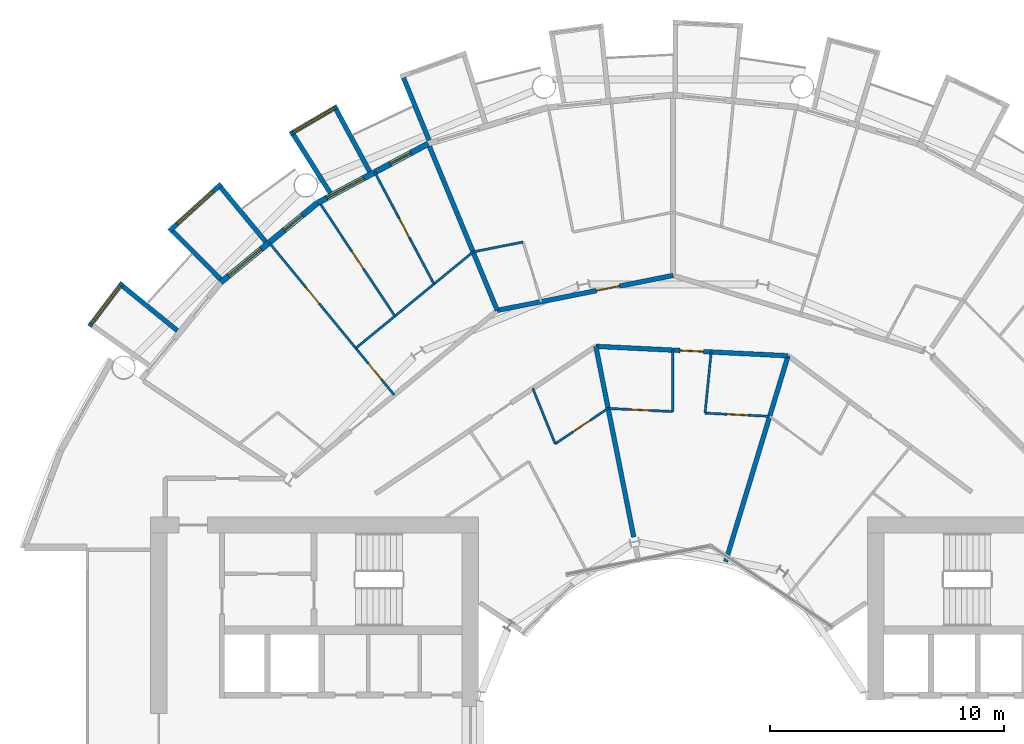
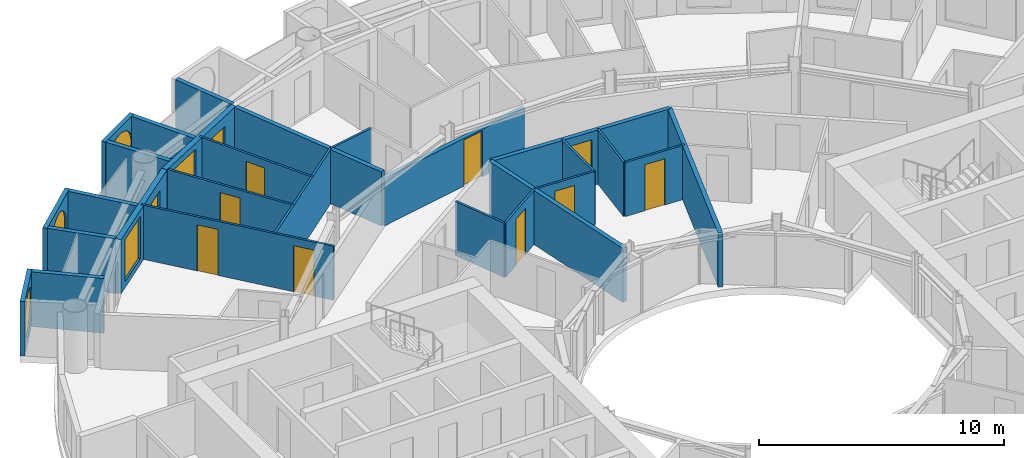
# One storey, part 19 of 26: 27 walls, 11 doors, 5 windows, 16 openings.
"""IFC4 building model written with IfcOpenShell, lengths in metres."""

from ifc_helpers import new_model, si_unit, direction, frame, frame_2d, origin, place, context, subcontext, project, spatial, rectangle, circle, extrude, material, layer, layer_set, type_object, element, fill, save


model = new_model("IFC4")

# Units and contexts
model_context = context("Model", 3, precision=1e-05, world=origin(), true_north=direction((0.0, 1.0)))
body_context = subcontext(model_context, "Body", "Model", "MODEL_VIEW")
ifc_project = project(units=[si_unit("LENGTHUNIT", "METRE"), si_unit("AREAUNIT", "SQUARE_METRE"), si_unit("VOLUMEUNIT", "CUBIC_METRE"), si_unit("PLANEANGLEUNIT", "RADIAN"), si_unit("MASSUNIT", "GRAM", prefix="KILO")], contexts=[model_context])

# Site, building, storey
site_placement = place(None, origin())
site = spatial("IfcSite", under=ifc_project, at=site_placement, CompositionType="ELEMENT")
building_placement = place(site_placement, origin())
building = spatial("IfcBuilding", under=site, at=building_placement, Name="Maasbend Ring Residences", CompositionType="ELEMENT")
storey_placement = place(building_placement, frame((0.0, 0.0, 88.0)))
storey = spatial("IfcBuildingStorey", under=building, at=storey_placement, Name="L25", CompositionType="ELEMENT", Elevation=88.0)

# Wall, opening, door
ifc_material_1 = material(Name="Concrete C30/37", Category="concrete")
ifc_layer_1 = layer(ifc_material_1, 0.199951171875)
ifc_layer_set_1 = layer_set([ifc_layer_1], Name="Concrete C30/37")
wall_type_1 = type_object("IfcWallType", Name="CORRIDOR WALL 200 CONCRETE", PredefinedType="PARTITIONING", material=ifc_layer_set_1)
wall_1_placement = place(storey_placement, frame((-3.298095703125, 16.573974609375, 0.0), z_axis=(0.0, 0.0, 1.0), x_axis=(0.998802523271, -0.048923608895, 0.0)))
wall_1 = element("IfcWall", 1, at=wall_1_placement, inside=storey, type_object=wall_type_1, Name="U-L25-w097", PredefinedType="PARTITIONING", context=body_context, shape_type="SweptSolid", body=[
    extrude(rectangle(XDim=8.2138671875, YDim=0.199951171875, at=frame_2d((4.10693359375, 0.0))), origin(), (0.0, 0.0, 1.0), 2.699951171875),
])
opening_1_placement = place(wall_1_placement, frame((3.60009765625, 0.0, 0.0)))
opening_1 = element("IfcOpeningElement", 2, at=opening_1_placement, cuts=wall_1, Name="Opening D-2525", PredefinedType="OPENING", context=body_context, shape_type="SweptSolid", body=[
    extrude(rectangle(XDim=1.0, YDim=2.300048828125, at=frame_2d((0.5, 1.14990234375))), frame((0.0, 0.10986328125, 0.0), z_axis=(0.0, -1.0, 0.0), x_axis=(1.0, 0.0, 0.0)), (0.0, 0.0, 1.0), 0.219970703125),
])
ifc_material_2 = material(Name="Timber, fire-rated, painted", Category="wood")
door_type_1 = type_object("IfcDoorType", Name="FLAT ENTRANCE DOOR 1000 X 2300 FIRE-RATED", OperationType="NOTDEFINED", PredefinedType="DOOR", material=ifc_material_2)
door_1_placement = place(opening_1_placement, origin())
door_1 = element("IfcDoor", 3, at=door_1_placement, inside=storey, type_object=door_type_1, Name="D-2525", OperationType="SINGLE_SWING_LEFT", OverallHeight=2.300048828125, OverallWidth=1.0, PredefinedType="DOOR", context=body_context, shape_type="SweptSolid", body=[
    extrude(rectangle(XDim=1.0, YDim=2.300048828125, at=frame_2d((0.5, 1.14990234375))), frame((0.0, 0.02490234375, 0.0), z_axis=(0.0, -1.0, 0.0), x_axis=(1.0, 0.0, 0.0)), (0.0, 0.0, 1.0), 0.050048828125),
])
fill(opening_1, door_1)

wall_2_placement = place(storey_placement, frame((-7.5009765625, 18.10791015625, 0.0), z_axis=(0.0, 0.0, 1.0), x_axis=(0.980791233058, 0.195060393611, 0.0)))
wall_2 = element("IfcWall", 4, at=wall_2_placement, inside=storey, type_object=wall_type_1, Name="U-L25-w100", PredefinedType="PARTITIONING", context=body_context, shape_type="SweptSolid", body=[
    extrude(rectangle(XDim=7.64990234375, YDim=0.199951171875, at=frame_2d((3.824951171875, 0.0))), origin(), (0.0, 0.0, 1.0), 2.3798828125),
])
opening_2_placement = place(wall_2_placement, frame((4.31298828125, 0.0, 0.0)))
opening_2 = element("IfcOpeningElement", 5, at=opening_2_placement, cuts=wall_2, Name="Opening D-2511", PredefinedType="OPENING", context=body_context, shape_type="SweptSolid", body=[
    extrude(rectangle(XDim=1.0, YDim=2.300048828125, at=frame_2d((0.5, 1.14990234375))), frame((0.0, 0.10986328125, 0.0), z_axis=(0.0, -1.0, 0.0), x_axis=(1.0, 0.0, 0.0)), (0.0, 0.0, 1.0), 0.219970703125),
])
door_2_placement = place(opening_2_placement, origin())
door_2 = element("IfcDoor", 6, at=door_2_placement, inside=storey, type_object=door_type_1, Name="D-2511", OperationType="SINGLE_SWING_RIGHT", OverallHeight=2.300048828125, OverallWidth=1.0, PredefinedType="DOOR", context=body_context, shape_type="SweptSolid", body=[
    extrude(rectangle(XDim=1.0, YDim=2.300048828125, at=frame_2d((0.5, 1.14990234375))), frame((0.0, 0.02490234375, 0.0), z_axis=(0.0, -1.0, 0.0), x_axis=(1.0, 0.0, 0.0)), (0.0, 0.0, 1.0), 0.050048828125),
])
fill(opening_2, door_2)

# Wall
ifc_material_3 = material(Name="Pale anodised aluminium panel", Category="aluminium")
ifc_layer_2 = layer(ifc_material_3, 0.199951171875)
ifc_layer_set_2 = layer_set([ifc_layer_2], Name="EW-BOX")
wall_type_2 = type_object("IfcWallType", Name="EW-BOX", PredefinedType="SOLIDWALL", material=ifc_layer_set_2)
wall_3_placement = place(storey_placement, frame((-10.408935546875, 25.364013671875, -0.030029296875), z_axis=(0.0, 0.0, 1.0), x_axis=(-0.379509886562, 0.925187681501, 0.0)))
element("IfcWall", 7, at=wall_3_placement, inside=storey, type_object=wall_type_2, Name="Box side wall N14 right", PredefinedType="SOLIDWALL", context=body_context, shape_type="SweptSolid", body=[
    extrude(rectangle(XDim=2.882568359375, YDim=0.199951171875, at=frame_2d((1.44140625, 0.0))), origin(), (0.0, 0.0, 1.0), 2.72998046875),
])

# Wall, opening, window
wall_4_placement = place(storey_placement, frame((-14.326904296875, 26.81201171875, -0.030029296875), z_axis=(0.0, 0.0, 1.0), x_axis=(-0.863346521872, -0.504611517081, 0.0)))
wall_4 = element("IfcWall", 8, at=wall_4_placement, inside=storey, type_object=wall_type_2, Name="Box front N16", PredefinedType="SOLIDWALL", context=body_context, shape_type="SweptSolid", body=[
    extrude(rectangle(XDim=2.33642578125, YDim=0.199951171875, at=frame_2d((1.168212890625, 0.0))), origin(), (0.0, 0.0, 1.0), 2.72998046875),
])
opening_3_placement = place(wall_4_placement, frame((0.128173828125, 0.0, 0.330078125)))
opening_3 = element("IfcOpeningElement", 9, at=opening_3_placement, cuts=wall_4, Name="Opening W-RD", PredefinedType="OPENING", context=body_context, shape_type="SweptSolid", body=[
    extrude(circle(Radius=1.0400390625, at=frame_2d((1.0400390625, 1.0400390625))), frame((0.0, 0.10986328125, 0.0), z_axis=(0.0, -1.0, 0.0), x_axis=(1.0, 0.0, 0.0)), (0.0, 0.0, 1.0), 0.219970703125),
])
ifc_material_4 = material(Name="Aluminium and clear glass", Category="aluminium")
window_type_1 = type_object("IfcWindowType", Name="W-RD", PartitioningType="SINGLE_PANEL", PredefinedType="WINDOW", material=ifc_material_4)
window_1_placement = place(opening_3_placement, origin())
window_1 = element("IfcWindow", 10, at=window_1_placement, inside=storey, type_object=window_type_1, Name="Round window N16", OverallHeight=2.080078125, OverallWidth=2.080078125, PartitioningType="SINGLE_PANEL", PredefinedType="WINDOW", context=body_context, shape_type="SweptSolid", body=[
    extrude(circle(Radius=1.0400390625, at=frame_2d((1.0400390625, 1.0400390625))), frame((0.0, 0.030029296875, 0.0), z_axis=(0.0, -1.0, 0.0), x_axis=(1.0, 0.0, 0.0)), (0.0, 0.0, 1.0), 0.06005859375),
])
fill(opening_3, window_1)

# Walls
wall_5_placement = place(storey_placement, frame((-12.945068359375, 24.029052734375, -0.030029296875), z_axis=(0.0, 0.0, 1.0), x_axis=(-0.474424310775, 0.88029629861, 0.0)))
element("IfcWall", 11, at=wall_5_placement, inside=storey, type_object=wall_type_2, Name="Box side wall N16 left", PredefinedType="SOLIDWALL", context=body_context, shape_type="SweptSolid", body=[
    extrude(rectangle(XDim=3.005859375, YDim=0.199951171875, at=frame_2d((1.5029296875, 0.0))), origin(), (0.0, 0.0, 1.0), 2.72998046875),
])
wall_6_placement = place(storey_placement, frame((-14.635009765625, 23.1259765625, -0.030029296875), z_axis=(0.0, 0.0, 1.0), x_axis=(-0.534437802731, 0.845207805816, 0.0)))
element("IfcWall", 12, at=wall_6_placement, inside=storey, type_object=wall_type_2, Name="Box side wall N16 right", PredefinedType="SOLIDWALL", context=body_context, shape_type="SweptSolid", body=[
    extrude(rectangle(XDim=2.931884765625, YDim=0.199951171875, at=frame_2d((1.4658203125, 0.0))), origin(), (0.0, 0.0, 1.0), 2.72998046875),
])

# Wall, opening, window
wall_7_placement = place(storey_placement, frame((-19.281982421875, 23.5029296875, -0.030029296875), z_axis=(0.0, 0.0, 1.0), x_axis=(-0.740998365753, -0.671506829416, 0.0)))
wall_7 = element("IfcWall", 13, at=wall_7_placement, inside=storey, type_object=wall_type_2, Name="Box front N18", PredefinedType="SOLIDWALL", context=body_context, shape_type="SweptSolid", body=[
    extrude(rectangle(XDim=2.9931640625, YDim=0.199951171875, at=frame_2d((1.49658203125, 0.0))), origin(), (0.0, 0.0, 1.0), 2.72998046875),
])
opening_4_placement = place(wall_7_placement, frame((0.45654296875, 0.0, 0.330078125)))
opening_4 = element("IfcOpeningElement", 14, at=opening_4_placement, cuts=wall_7, Name="Opening W-RD", PredefinedType="OPENING", context=body_context, shape_type="SweptSolid", body=[
    extrude(circle(Radius=1.0400390625, at=frame_2d((1.0400390625, 1.0400390625))), frame((0.0, 0.10986328125, 0.0), z_axis=(0.0, -1.0, 0.0), x_axis=(1.0, 0.0, 0.0)), (0.0, 0.0, 1.0), 0.219970703125),
])
window_2_placement = place(opening_4_placement, origin())
window_2 = element("IfcWindow", 15, at=window_2_placement, inside=storey, type_object=window_type_1, Name="Round window N18", OverallHeight=2.080078125, OverallWidth=2.080078125, PartitioningType="SINGLE_PANEL", PredefinedType="WINDOW", context=body_context, shape_type="SweptSolid", body=[
    extrude(circle(Radius=1.0400390625, at=frame_2d((1.0400390625, 1.0400390625))), frame((0.0, 0.030029296875, 0.0), z_axis=(0.0, -1.0, 0.0), x_axis=(1.0, 0.0, 0.0)), (0.0, 0.0, 1.0), 0.06005859375),
])
fill(opening_4, window_2)

# Walls
wall_8_placement = place(storey_placement, frame((-17.384033203125, 21.041015625, -0.030029296875), z_axis=(0.0, 0.0, 1.0), x_axis=(-0.63709551667, 0.770784861449, 0.0)))
element("IfcWall", 16, at=wall_8_placement, inside=storey, type_object=wall_type_2, Name="Box side wall N18 left", PredefinedType="SOLIDWALL", context=body_context, shape_type="SweptSolid", body=[
    extrude(rectangle(XDim=3.005859375, YDim=0.199951171875, at=frame_2d((1.5029296875, 0.0))), origin(), (0.0, 0.0, 1.0), 2.72998046875),
])
wall_9_placement = place(storey_placement, frame((-19.322998046875, 19.449951171875, -0.030029296875), z_axis=(0.0, 0.0, 1.0), x_axis=(-0.704476739375, 0.709727076896, 0.0)))
element("IfcWall", 17, at=wall_9_placement, inside=storey, type_object=wall_type_2, Name="Box side wall N18 right", PredefinedType="SOLIDWALL", context=body_context, shape_type="SweptSolid", body=[
    extrude(rectangle(XDim=2.883056640625, YDim=0.199951171875, at=frame_2d((1.44140625, 0.0))), origin(), (0.0, 0.0, 1.0), 2.72998046875),
])

# Wall, opening, window
wall_10_placement = place(storey_placement, frame((-23.4970703125, 19.2890625, -0.030029296875), z_axis=(0.0, 0.0, 1.0), x_axis=(-0.60418752353, -0.796842165306, 0.0)))
wall_10 = element("IfcWall", 18, at=wall_10_placement, inside=storey, type_object=wall_type_2, Name="Box front N20", PredefinedType="SOLIDWALL", context=body_context, shape_type="SweptSolid", body=[
    extrude(rectangle(XDim=2.3369140625, YDim=0.199951171875, at=frame_2d((1.16845703125, 0.0))), origin(), (0.0, 0.0, 1.0), 2.72998046875),
])
opening_5_placement = place(wall_10_placement, frame((0.128173828125, 0.0, 0.330078125)))
opening_5 = element("IfcOpeningElement", 19, at=opening_5_placement, cuts=wall_10, Name="Opening W-RD", PredefinedType="OPENING", context=body_context, shape_type="SweptSolid", body=[
    extrude(circle(Radius=1.0400390625, at=frame_2d((1.0400390625, 1.0400390625))), frame((0.0, 0.10986328125, 0.0), z_axis=(0.0, -1.0, 0.0), x_axis=(1.0, 0.0, 0.0)), (0.0, 0.0, 1.0), 0.219970703125),
])
window_3_placement = place(opening_5_placement, origin())
window_3 = element("IfcWindow", 20, at=window_3_placement, inside=storey, type_object=window_type_1, Name="Round window N20", OverallHeight=2.080078125, OverallWidth=2.080078125, PartitioningType="SINGLE_PANEL", PredefinedType="WINDOW", context=body_context, shape_type="SweptSolid", body=[
    extrude(circle(Radius=1.0400390625, at=frame_2d((1.0400390625, 1.0400390625))), frame((0.0, 0.030029296875, 0.0), z_axis=(0.0, -1.0, 0.0), x_axis=(1.0, 0.0, 0.0)), (0.0, 0.0, 1.0), 0.06005859375),
])
fill(opening_5, window_3)

# Wall
wall_11_placement = place(storey_placement, frame((-21.155029296875, 17.24609375, -0.030029296875), z_axis=(0.0, 0.0, 1.0), x_axis=(-0.775179004516, 0.631741648902, 0.0)))
element("IfcWall", 21, at=wall_11_placement, inside=storey, type_object=wall_type_2, Name="Box side wall N20 left", PredefinedType="SOLIDWALL", context=body_context, shape_type="SweptSolid", body=[
    extrude(rectangle(XDim=3.005859375, YDim=0.199951171875, at=frame_2d((1.5029296875, 0.0))), origin(), (0.0, 0.0, 1.0), 2.72998046875),
])

# Wall, openings, door, window
ifc_material_5 = material(Name="Aluminium clad insulated panel", Category="aluminium")
ifc_layer_3 = layer(ifc_material_5, 0.25)
ifc_layer_set_3 = layer_set([ifc_layer_3], Name="EW-GL")
wall_type_3 = type_object("IfcWallType", Name="EW-GL", PredefinedType="SOLIDWALL", material=ifc_layer_set_3)
wall_12_placement = place(storey_placement, frame((-10.447021484375, 25.221923828125, 0.0), z_axis=(0.0, 0.0, 1.0), x_axis=(-0.881915646801, -0.471407246368, 0.0)))
wall_12 = element("IfcWall", 22, at=wall_12_placement, inside=storey, type_object=wall_type_3, Name="External wall N08", PredefinedType="SOLIDWALL", context=body_context, shape_type="SweptSolid", body=[
    extrude(rectangle(XDim=5.35205078125, YDim=0.25, at=frame_2d((2.676025390625, 0.0))), origin(), (0.0, 0.0, 1.0), 2.699951171875),
])
opening_6_placement = place(wall_12_placement, frame((0.841064453125, 0.0, 0.0)))
opening_6 = element("IfcOpeningElement", 23, at=opening_6_placement, cuts=wall_12, Name="Opening D-LG", PredefinedType="OPENING", context=body_context, shape_type="SweptSolid", body=[
    extrude(rectangle(XDim=1.0, YDim=2.199951171875, at=frame_2d((0.5, 1.10009765625))), frame((0.0, 0.135009765625, 0.0), z_axis=(0.0, -1.0, 0.0), x_axis=(1.0, 0.0, 0.0)), (0.0, 0.0, 1.0), 0.27001953125),
])
opening_7_placement = place(wall_12_placement, frame((3.110595703125, 0.0, 0.300048828125)))
opening_7 = element("IfcOpeningElement", 24, at=opening_7_placement, cuts=wall_12, Name="Opening W-BX", PredefinedType="OPENING", context=body_context, shape_type="SweptSolid", body=[
    extrude(rectangle(XDim=1.800048828125, YDim=2.10009765625, at=frame_2d((0.89990234375, 1.050048828125))), frame((0.0, 0.135009765625, 0.0), z_axis=(0.0, -1.0, 0.0), x_axis=(1.0, 0.0, 0.0)), (0.0, 0.0, 1.0), 0.27001953125),
])
ifc_material_6 = material(Name="Aluminium and clear glass", Category="aluminium")
door_type_2 = type_object("IfcDoorType", Name="D-LG", OperationType="SINGLE_SWING_LEFT", PredefinedType="DOOR", material=ifc_material_6)
door_3_placement = place(opening_6_placement, origin())
door_3 = element("IfcDoor", 25, at=door_3_placement, inside=storey, type_object=door_type_2, Name="Loggia door N15", OperationType="SINGLE_SWING_LEFT", OverallHeight=2.199951171875, OverallWidth=1.0, PredefinedType="DOOR", context=body_context, shape_type="SweptSolid", body=[
    extrude(rectangle(XDim=1.0, YDim=2.199951171875, at=frame_2d((0.5, 1.10009765625))), frame((0.0, 0.02490234375, 0.0), z_axis=(0.0, -1.0, 0.0), x_axis=(1.0, 0.0, 0.0)), (0.0, 0.0, 1.0), 0.050048828125),
])
fill(opening_6, door_3)
ifc_material_7 = material(Name="Aluminium and clear glass", Category="aluminium")
window_type_2 = type_object("IfcWindowType", Name="W-BX", PartitioningType="DOUBLE_PANEL_VERTICAL", PredefinedType="WINDOW", material=ifc_material_7)
window_4_placement = place(opening_7_placement, origin())
window_4 = element("IfcWindow", 26, at=window_4_placement, inside=storey, type_object=window_type_2, Name="Window N16 room to box", OverallHeight=2.10009765625, OverallWidth=1.800048828125, PartitioningType="SINGLE_PANEL", PredefinedType="WINDOW", context=body_context, shape_type="SweptSolid", body=[
    extrude(rectangle(XDim=1.800048828125, YDim=2.10009765625, at=frame_2d((0.89990234375, 1.050048828125))), frame((0.0, 0.030029296875, 0.0), z_axis=(0.0, -1.0, 0.0), x_axis=(1.0, 0.0, 0.0)), (0.0, 0.0, 1.0), 0.06005859375),
])
fill(opening_7, window_4)

wall_13_placement = place(storey_placement, frame((-15.1669921875, 22.698974609375, 0.0), z_axis=(0.0, 0.0, 1.0), x_axis=(-0.773019449054, -0.634382322723, 0.0)))
wall_13 = element("IfcWall", 27, at=wall_13_placement, inside=storey, type_object=wall_type_3, Name="External wall N09", PredefinedType="SOLIDWALL", context=body_context, shape_type="SweptSolid", body=[
    extrude(rectangle(XDim=5.351806640625, YDim=0.25, at=frame_2d((2.67578125, 0.0))), origin(), (0.0, 0.0, 1.0), 2.699951171875),
])
opening_8_placement = place(wall_13_placement, frame((0.841064453125, 0.0, 0.0)))
opening_8 = element("IfcOpeningElement", 28, at=opening_8_placement, cuts=wall_13, Name="Opening D-LG", PredefinedType="OPENING", context=body_context, shape_type="SweptSolid", body=[
    extrude(rectangle(XDim=1.0, YDim=2.199951171875, at=frame_2d((0.5, 1.10009765625))), frame((0.0, 0.135009765625, 0.0), z_axis=(0.0, -1.0, 0.0), x_axis=(1.0, 0.0, 0.0)), (0.0, 0.0, 1.0), 0.27001953125),
])
opening_9_placement = place(wall_13_placement, frame((3.110595703125, 0.0, 0.300048828125)))
opening_9 = element("IfcOpeningElement", 29, at=opening_9_placement, cuts=wall_13, Name="Opening W-BX", PredefinedType="OPENING", context=body_context, shape_type="SweptSolid", body=[
    extrude(rectangle(XDim=1.800048828125, YDim=2.10009765625, at=frame_2d((0.89990234375, 1.050048828125))), frame((0.0, 0.135009765625, 0.0), z_axis=(0.0, -1.0, 0.0), x_axis=(1.0, 0.0, 0.0)), (0.0, 0.0, 1.0), 0.27001953125),
])
door_4_placement = place(opening_8_placement, origin())
door_4 = element("IfcDoor", 30, at=door_4_placement, inside=storey, type_object=door_type_2, Name="Loggia door N17", OperationType="SINGLE_SWING_LEFT", OverallHeight=2.199951171875, OverallWidth=1.0, PredefinedType="DOOR", context=body_context, shape_type="SweptSolid", body=[
    extrude(rectangle(XDim=1.0, YDim=2.199951171875, at=frame_2d((0.5, 1.10009765625))), frame((0.0, 0.02490234375, 0.0), z_axis=(0.0, -1.0, 0.0), x_axis=(1.0, 0.0, 0.0)), (0.0, 0.0, 1.0), 0.050048828125),
])
fill(opening_8, door_4)
window_5_placement = place(opening_9_placement, origin())
window_5 = element("IfcWindow", 31, at=window_5_placement, inside=storey, type_object=window_type_2, Name="Window N18 room to box", OverallHeight=2.10009765625, OverallWidth=1.800048828125, PartitioningType="SINGLE_PANEL", PredefinedType="WINDOW", context=body_context, shape_type="SweptSolid", body=[
    extrude(rectangle(XDim=1.800048828125, YDim=2.10009765625, at=frame_2d((0.89990234375, 1.050048828125))), frame((0.0, 0.030029296875, 0.0), z_axis=(0.0, -1.0, 0.0), x_axis=(1.0, 0.0, 0.0)), (0.0, 0.0, 1.0), 0.06005859375),
])
fill(opening_9, window_5)

# Wall, openings, doors
ifc_material_8 = material(Name="Gypsum board on steel studs", Category="steel")
ifc_layer_4 = layer(ifc_material_8, 0.10009765625)
ifc_layer_set_4 = layer_set([ifc_layer_4], Name="PARTITION 100 GYPSUM")
wall_type_4 = type_object("IfcWallType", Name="PARTITION 100 GYPSUM", PredefinedType="PARTITIONING", material=ifc_layer_set_4)
wall_14_placement = place(storey_placement, frame((-17.239990234375, 21.007080078125, 0.0), z_axis=(0.0, 0.0, 1.0), x_axis=(0.634396151441, -0.77300810024, 0.0)))
wall_14 = element("IfcWall", 32, at=wall_14_placement, inside=storey, type_object=wall_type_4, Name="U-L25-w033", PredefinedType="PARTITIONING", context=body_context, shape_type="SweptSolid", body=[
    extrude(rectangle(XDim=8.419189453125, YDim=0.10009765625, at=frame_2d((4.20947265625, 0.0))), origin(), (0.0, 0.0, 1.0), 2.699951171875),
])
opening_10_placement = place(wall_14_placement, frame((6.678955078125, 0.0, 0.0)))
opening_10 = element("IfcOpeningElement", 33, at=opening_10_placement, cuts=wall_14, Name="Opening D-2517", PredefinedType="OPENING", context=body_context, shape_type="SweptSolid", body=[
    extrude(rectangle(XDim=0.89990234375, YDim=2.300048828125, at=frame_2d((0.449951171875, 1.14990234375))), frame((0.0, 0.06005859375, 0.0), z_axis=(0.0, -1.0, 0.0), x_axis=(1.0, 0.0, 0.0)), (0.0, 0.0, 1.0), 0.1201171875),
])
opening_11_placement = place(wall_14_placement, frame((2.468017578125, 0.0, 0.0)))
opening_11 = element("IfcOpeningElement", 34, at=opening_11_placement, cuts=wall_14, Name="Opening D-2518", PredefinedType="OPENING", context=body_context, shape_type="SweptSolid", body=[
    extrude(rectangle(XDim=0.89990234375, YDim=2.300048828125, at=frame_2d((0.449951171875, 1.14990234375))), frame((0.0, 0.06005859375, 0.0), z_axis=(0.0, -1.0, 0.0), x_axis=(1.0, 0.0, 0.0)), (0.0, 0.0, 1.0), 0.1201171875),
])
ifc_material_9 = material(Name="Timber, painted", Category="wood")
door_type_3 = type_object("IfcDoorType", Name="INTERNAL DOOR 900 X 2300", OperationType="NOTDEFINED", PredefinedType="DOOR", material=ifc_material_9)
door_5_placement = place(opening_10_placement, origin())
door_5 = element("IfcDoor", 35, at=door_5_placement, inside=storey, type_object=door_type_3, Name="D-2517", OperationType="SINGLE_SWING_RIGHT", OverallHeight=2.300048828125, OverallWidth=0.89990234375, PredefinedType="DOOR", context=body_context, shape_type="SweptSolid", body=[
    extrude(rectangle(XDim=0.89990234375, YDim=2.300048828125, at=frame_2d((0.449951171875, 1.14990234375))), frame((0.0, 0.02490234375, 0.0), z_axis=(0.0, -1.0, 0.0), x_axis=(1.0, 0.0, 0.0)), (0.0, 0.0, 1.0), 0.050048828125),
])
fill(opening_10, door_5)
door_6_placement = place(opening_11_placement, origin())
door_6 = element("IfcDoor", 36, at=door_6_placement, inside=storey, type_object=door_type_3, Name="D-2518", OperationType="SINGLE_SWING_LEFT", OverallHeight=2.300048828125, OverallWidth=0.89990234375, PredefinedType="DOOR", context=body_context, shape_type="SweptSolid", body=[
    extrude(rectangle(XDim=0.89990234375, YDim=2.300048828125, at=frame_2d((0.449951171875, 1.14990234375))), frame((0.0, 0.02490234375, 0.0), z_axis=(0.0, -1.0, 0.0), x_axis=(1.0, 0.0, 0.0)), (0.0, 0.0, 1.0), 0.050048828125),
])
fill(opening_11, door_6)

# Wall, opening, door
wall_15_placement = place(storey_placement, frame((-15.0390625, 22.634033203125, 0.0), z_axis=(0.0, 0.0, 1.0), x_axis=(0.553440102418, -0.832888980018, 0.0)))
wall_15 = element("IfcWall", 37, at=wall_15_placement, inside=storey, type_object=wall_type_4, Name="U-L25-w035", PredefinedType="PARTITIONING", context=body_context, shape_type="SweptSolid", body=[
    extrude(rectangle(XDim=5.725830078125, YDim=0.10009765625, at=frame_2d((2.86279296875, 0.0))), origin(), (0.0, 0.0, 1.0), 2.699951171875),
])
opening_12_placement = place(wall_15_placement, frame((2.4130859375, 0.0, 0.0)))
opening_12 = element("IfcOpeningElement", 38, at=opening_12_placement, cuts=wall_15, Name="Opening D-2519", PredefinedType="OPENING", context=body_context, shape_type="SweptSolid", body=[
    extrude(rectangle(XDim=0.89990234375, YDim=2.300048828125, at=frame_2d((0.449951171875, 1.14990234375))), frame((0.0, 0.06005859375, 0.0), z_axis=(0.0, -1.0, 0.0), x_axis=(1.0, 0.0, 0.0)), (0.0, 0.0, 1.0), 0.1201171875),
])
door_7_placement = place(opening_12_placement, origin())
door_7 = element("IfcDoor", 39, at=door_7_placement, inside=storey, type_object=door_type_3, Name="D-2519", OperationType="SINGLE_SWING_RIGHT", OverallHeight=2.300048828125, OverallWidth=0.89990234375, PredefinedType="DOOR", context=body_context, shape_type="SweptSolid", body=[
    extrude(rectangle(XDim=0.89990234375, YDim=2.300048828125, at=frame_2d((0.449951171875, 1.14990234375))), frame((0.0, 0.02490234375, 0.0), z_axis=(0.0, -1.0, 0.0), x_axis=(1.0, 0.0, 0.0)), (0.0, 0.0, 1.0), 0.050048828125),
])
fill(opening_12, door_7)

wall_16_placement = place(storey_placement, frame((-12.73388671875, 24.007080078125, 0.0), z_axis=(0.0, 0.0, 1.0), x_axis=(0.468610030042, -0.883405139075, 0.0)))
wall_16 = element("IfcWall", 40, at=wall_16_placement, inside=storey, type_object=wall_type_4, Name="U-L25-w036", PredefinedType="PARTITIONING", context=body_context, shape_type="SweptSolid", body=[
    extrude(rectangle(XDim=5.403076171875, YDim=0.10009765625, at=frame_2d((2.70166015625, 0.0))), origin(), (0.0, 0.0, 1.0), 2.699951171875),
])
opening_13_placement = place(wall_16_placement, frame((2.251953125, 0.0, 0.0)))
opening_13 = element("IfcOpeningElement", 41, at=opening_13_placement, cuts=wall_16, Name="Opening D-2520", PredefinedType="OPENING", context=body_context, shape_type="SweptSolid", body=[
    extrude(rectangle(XDim=0.89990234375, YDim=2.300048828125, at=frame_2d((0.449951171875, 1.14990234375))), frame((0.0, 0.06005859375, 0.0), z_axis=(0.0, -1.0, 0.0), x_axis=(1.0, 0.0, 0.0)), (0.0, 0.0, 1.0), 0.1201171875),
])
door_8_placement = place(opening_13_placement, origin())
door_8 = element("IfcDoor", 42, at=door_8_placement, inside=storey, type_object=door_type_3, Name="D-2520", OperationType="SINGLE_SWING_LEFT", OverallHeight=2.300048828125, OverallWidth=0.89990234375, PredefinedType="DOOR", context=body_context, shape_type="SweptSolid", body=[
    extrude(rectangle(XDim=0.89990234375, YDim=2.300048828125, at=frame_2d((0.449951171875, 1.14990234375))), frame((0.0, 0.02490234375, 0.0), z_axis=(0.0, -1.0, 0.0), x_axis=(1.0, 0.0, 0.0)), (0.0, 0.0, 1.0), 0.050048828125),
])
fill(opening_13, door_8)

# Walls
wall_17_placement = place(storey_placement, frame((-5.986083984375, 14.779052734375, 0.0), z_axis=(0.0, 0.0, 1.0), x_axis=(0.375649498413, -0.926761811008, 0.0)))
element("IfcWall", 43, at=wall_17_placement, inside=storey, type_object=wall_type_4, Name="U-L25-w047", PredefinedType="PARTITIONING", context=body_context, shape_type="SweptSolid", body=[
    extrude(rectangle(XDim=2.547607421875, YDim=0.10009765625, at=frame_2d((1.27392578125, 0.0))), origin(), (0.0, 0.0, 1.0), 2.699951171875),
])
wall_18_placement = place(storey_placement, frame((-0.012939453125, 13.7919921875, 0.0), z_axis=(0.0, 0.0, 1.0), x_axis=(-0.001210427419, 0.999999267432, 0.0)))
element("IfcWall", 44, at=wall_18_placement, inside=storey, type_object=wall_type_4, Name="U-L25-w056", PredefinedType="PARTITIONING", context=body_context, shape_type="SweptSolid", body=[
    extrude(rectangle(XDim=2.6220703125, YDim=0.10009765625, at=frame_2d((1.31103515625, 0.0))), origin(), (0.0, 0.0, 1.0), 2.699951171875),
])
wall_19_placement = place(storey_placement, frame((1.364990234375, 13.72412109375, 0.0), z_axis=(0.0, 0.0, 1.0), x_axis=(0.099171803948, 0.995070325807, 0.0)))
element("IfcWall", 45, at=wall_19_placement, inside=storey, type_object=wall_type_4, Name="U-L25-w060", PredefinedType="PARTITIONING", context=body_context, shape_type="SweptSolid", body=[
    extrude(rectangle(XDim=2.621826171875, YDim=0.10009765625, at=frame_2d((1.31103515625, 0.0))), origin(), (0.0, 0.0, 1.0), 2.699951171875),
])

# Wall, opening, door
wall_20_placement = place(storey_placement, frame((-5.031982421875, 12.4169921875, 0.0), z_axis=(0.0, 0.0, 1.0), x_axis=(0.831538390496, 0.555467285384, 0.0)))
wall_20 = element("IfcWall", 46, at=wall_20_placement, inside=storey, type_object=wall_type_4, Name="U-L25-w090", PredefinedType="PARTITIONING", context=body_context, shape_type="SweptSolid", body=[
    extrude(rectangle(XDim=2.716796875, YDim=0.10009765625, at=frame_2d((1.3583984375, 0.0))), origin(), (0.0, 0.0, 1.0), 2.699951171875),
])
opening_14_placement = place(wall_20_placement, frame((0.910888671875, 0.0, 0.0)))
opening_14 = element("IfcOpeningElement", 47, at=opening_14_placement, cuts=wall_20, Name="Opening D-2529", PredefinedType="OPENING", context=body_context, shape_type="SweptSolid", body=[
    extrude(rectangle(XDim=0.89990234375, YDim=2.300048828125, at=frame_2d((0.449951171875, 1.14990234375))), frame((0.0, 0.06005859375, 0.0), z_axis=(0.0, -1.0, 0.0), x_axis=(1.0, 0.0, 0.0)), (0.0, 0.0, 1.0), 0.1201171875),
])
door_9_placement = place(opening_14_placement, origin())
door_9 = element("IfcDoor", 48, at=door_9_placement, inside=storey, type_object=door_type_3, Name="D-2529", OperationType="SINGLE_SWING_RIGHT", OverallHeight=2.300048828125, OverallWidth=0.89990234375, PredefinedType="DOOR", context=body_context, shape_type="SweptSolid", body=[
    extrude(rectangle(XDim=0.89990234375, YDim=2.300048828125, at=frame_2d((0.449951171875, 1.14990234375))), frame((0.0, 0.02490234375, 0.0), z_axis=(0.0, -1.0, 0.0), x_axis=(1.0, 0.0, 0.0)), (0.0, 0.0, 1.0), 0.050048828125),
])
fill(opening_14, door_9)

wall_21_placement = place(storey_placement, frame((-2.77001953125, 13.926025390625, 0.0), z_axis=(0.0, 0.0, 1.0), x_axis=(0.99880320044, -0.048909782152, 0.0)))
wall_21 = element("IfcWall", 49, at=wall_21_placement, inside=storey, type_object=wall_type_4, Name="U-L25-w093", PredefinedType="PARTITIONING", context=body_context, shape_type="SweptSolid", body=[
    extrude(rectangle(XDim=2.760498046875, YDim=0.10009765625, at=frame_2d((1.38037109375, 0.0))), origin(), (0.0, 0.0, 1.0), 2.699951171875),
])
opening_15_placement = place(wall_21_placement, frame((0.929931640625, 0.0, 0.0)))
opening_15 = element("IfcOpeningElement", 50, at=opening_15_placement, cuts=wall_21, Name="Opening D-2526", PredefinedType="OPENING", context=body_context, shape_type="SweptSolid", body=[
    extrude(rectangle(XDim=0.89990234375, YDim=2.300048828125, at=frame_2d((0.449951171875, 1.14990234375))), frame((0.0, 0.06005859375, 0.0), z_axis=(0.0, -1.0, 0.0), x_axis=(1.0, 0.0, 0.0)), (0.0, 0.0, 1.0), 0.1201171875),
])
door_10_placement = place(opening_15_placement, origin())
door_10 = element("IfcDoor", 51, at=door_10_placement, inside=storey, type_object=door_type_3, Name="D-2526", OperationType="SINGLE_SWING_LEFT", OverallHeight=2.300048828125, OverallWidth=0.89990234375, PredefinedType="DOOR", context=body_context, shape_type="SweptSolid", body=[
    extrude(rectangle(XDim=0.89990234375, YDim=2.300048828125, at=frame_2d((0.449951171875, 1.14990234375))), frame((0.0, 0.02490234375, 0.0), z_axis=(0.0, -1.0, 0.0), x_axis=(1.0, 0.0, 0.0)), (0.0, 0.0, 1.0), 0.050048828125),
])
fill(opening_15, door_10)

wall_22_placement = place(storey_placement, frame((1.364990234375, 13.72412109375, 0.0), z_axis=(0.0, 0.0, 1.0), x_axis=(0.99880320044, -0.048909782152, 0.0)))
wall_22 = element("IfcWall", 52, at=wall_22_placement, inside=storey, type_object=wall_type_4, Name="U-L25-w094", PredefinedType="PARTITIONING", context=body_context, shape_type="SweptSolid", body=[
    extrude(rectangle(XDim=2.760498046875, YDim=0.10009765625, at=frame_2d((1.38037109375, 0.0))), origin(), (0.0, 0.0, 1.0), 2.699951171875),
])
opening_16_placement = place(wall_22_placement, frame((0.929931640625, 0.0, 0.0)))
opening_16 = element("IfcOpeningElement", 53, at=opening_16_placement, cuts=wall_22, Name="Opening D-2527", PredefinedType="OPENING", context=body_context, shape_type="SweptSolid", body=[
    extrude(rectangle(XDim=0.89990234375, YDim=2.300048828125, at=frame_2d((0.449951171875, 1.14990234375))), frame((0.0, 0.06005859375, 0.0), z_axis=(0.0, -1.0, 0.0), x_axis=(1.0, 0.0, 0.0)), (0.0, 0.0, 1.0), 0.1201171875),
])
door_11_placement = place(opening_16_placement, origin())
door_11 = element("IfcDoor", 54, at=door_11_placement, inside=storey, type_object=door_type_3, Name="D-2527", OperationType="SINGLE_SWING_RIGHT", OverallHeight=2.300048828125, OverallWidth=0.89990234375, PredefinedType="DOOR", context=body_context, shape_type="SweptSolid", body=[
    extrude(rectangle(XDim=0.89990234375, YDim=2.300048828125, at=frame_2d((0.449951171875, 1.14990234375))), frame((0.0, 0.02490234375, 0.0), z_axis=(0.0, -1.0, 0.0), x_axis=(1.0, 0.0, 0.0)), (0.0, 0.0, 1.0), 0.050048828125),
])
fill(opening_16, door_11)

# Walls
wall_23_placement = place(storey_placement, frame((-13.5380859375, 16.49609375, 0.0), z_axis=(0.0, 0.0, 1.0), x_axis=(0.773000340237, 0.634405606843, 0.0)))
element("IfcWall", 55, at=wall_23_placement, inside=storey, type_object=wall_type_4, Name="U-L25-w103", PredefinedType="PARTITIONING", context=body_context, shape_type="SweptSolid", body=[
    extrude(rectangle(XDim=6.4736328125, YDim=0.10009765625, at=frame_2d((3.23681640625, 0.0))), origin(), (0.0, 0.0, 1.0), 2.699951171875),
])
wall_24_placement = place(storey_placement, frame((-8.533935546875, 20.60302734375, 0.0), z_axis=(0.0, 0.0, 1.0), x_axis=(0.980821612706, 0.194907578226, 0.0)))
element("IfcWall", 56, at=wall_24_placement, inside=storey, type_object=wall_type_4, Name="U-L25-w108", PredefinedType="PARTITIONING", context=body_context, shape_type="SweptSolid", body=[
    extrude(rectangle(XDim=2.17578125, YDim=0.10009765625, at=frame_2d((1.087890625, 0.0))), origin(), (0.0, 0.0, 1.0), 2.699951171875),
])
ifc_material_10 = material(Name="Concrete C30/37", Category="concrete")
ifc_layer_5 = layer(ifc_material_10, 0.199951171875)
ifc_layer_set_5 = layer_set([ifc_layer_5], Name="Concrete C30/37")
wall_type_5 = type_object("IfcWallType", Name="PARTY WALL 200 CONCRETE", PredefinedType="PARTITIONING", material=ifc_layer_set_5)
wall_25_placement = place(storey_placement, frame((-10.39794921875, 25.10595703125, 0.0), z_axis=(0.0, 0.0, 1.0), x_axis=(0.382490346157, -0.923959487801, 0.0)))
element("IfcWall", 57, at=wall_25_placement, inside=storey, type_object=wall_type_5, Name="U-L25-w038", PredefinedType="PARTITIONING", context=body_context, shape_type="SweptSolid", body=[
    extrude(rectangle(XDim=7.573974609375, YDim=0.199951171875, at=frame_2d((3.787109375, 0.0))), origin(), (0.0, 0.0, 1.0), 2.699951171875),
])
wall_26_placement = place(storey_placement, frame((-3.297119140625, 16.574951171875, 0.0), z_axis=(0.0, 0.0, 1.0), x_axis=(0.195205282633, -0.980762406311, 0.0)))
element("IfcWall", 58, at=wall_26_placement, inside=storey, type_object=wall_type_5, Name="U-L25-w051", PredefinedType="PARTITIONING", context=body_context, shape_type="SweptSolid", body=[
    extrude(rectangle(XDim=8.299560546875, YDim=0.199951171875, at=frame_2d((4.14990234375, 0.0))), origin(), (0.0, 0.0, 1.0), 2.699951171875),
])
wall_27_placement = place(storey_placement, frame((2.242919921875, 7.386962890625, 0.0), z_axis=(0.0, 0.0, 1.0), x_axis=(0.290196345171, 0.956967126525, 0.0)))
element("IfcWall", 59, at=wall_27_placement, inside=storey, type_object=wall_type_5, Name="U-L25-w064", PredefinedType="PARTITIONING", context=body_context, shape_type="SweptSolid", body=[
    extrude(rectangle(XDim=9.18017578125, YDim=0.199951171875, at=frame_2d((4.590087890625, 0.0))), origin(), (0.0, 0.0, 1.0), 2.699951171875),
])

save(model, "model.ifc")
